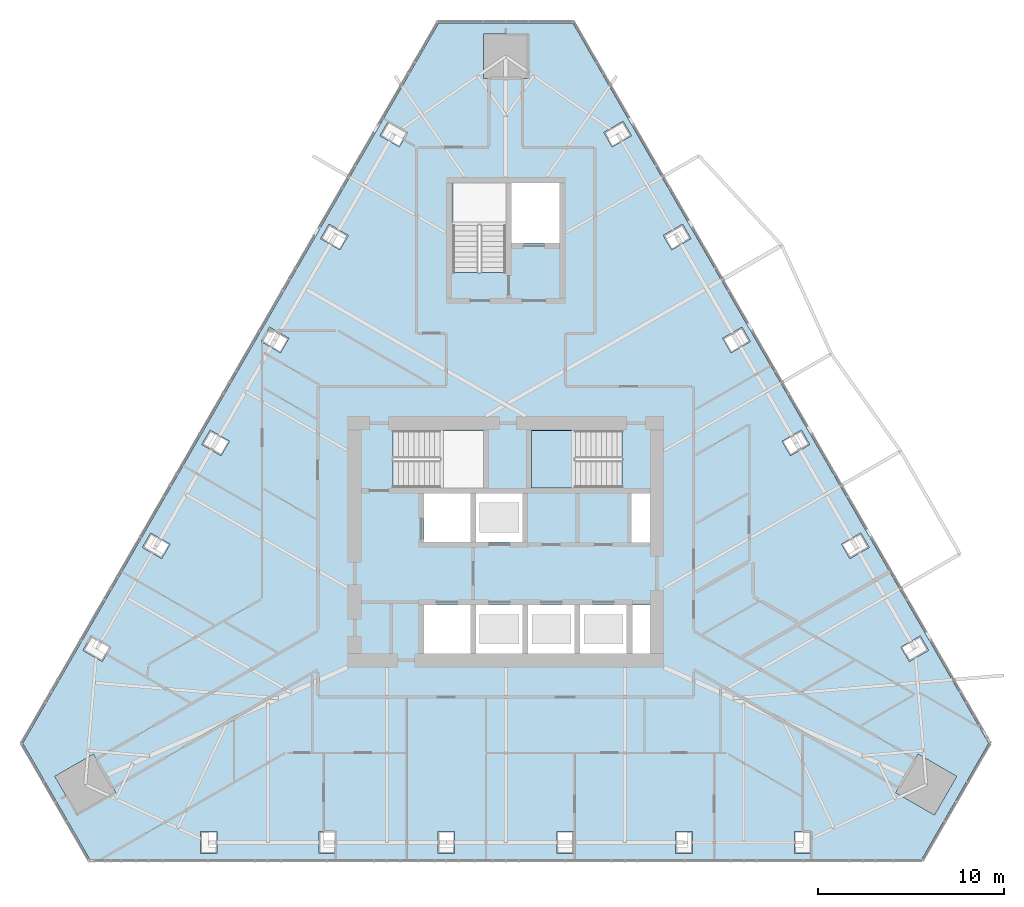
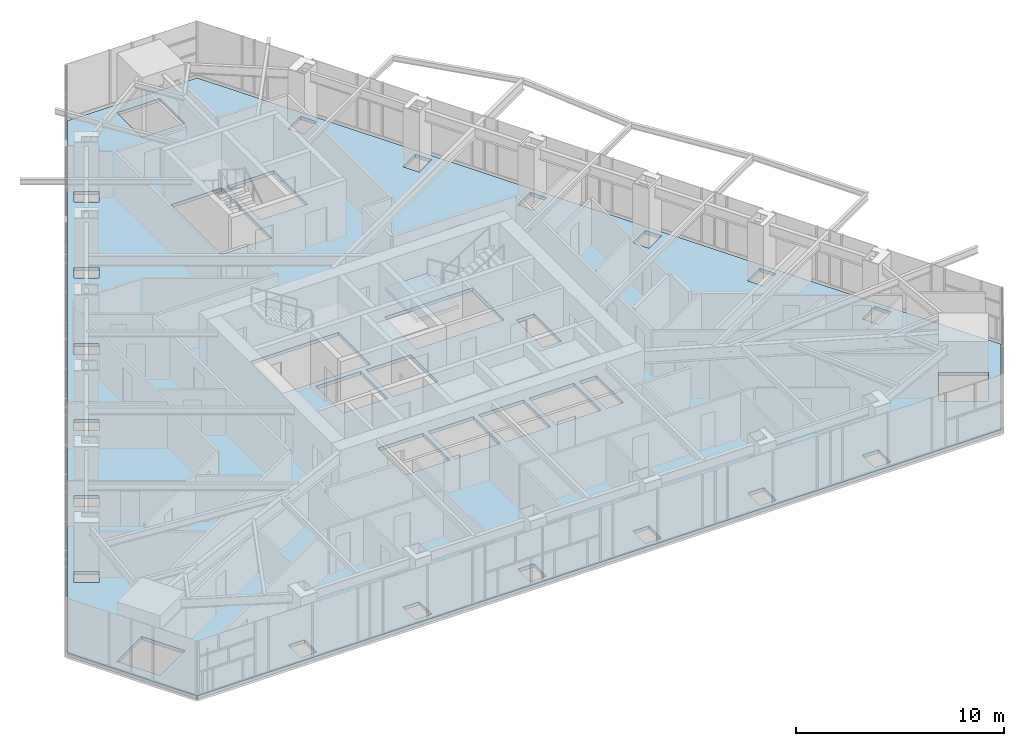
# One storey, part 18 of 26: 2 slabs, 1 element without a shape of its own.
"""IFC4 building model written with IfcOpenShell, lengths in metres."""

from ifc_helpers import new_model, si_unit, direction, frame, origin, place, context, subcontext, project, spatial, polyline, outline, extrude, material, layer, layer_set, type_object, element, aggregate, save


model = new_model("IFC4")

# Units and contexts
model_context = context("Model", 3, precision=1e-05, world=origin(), true_north=direction((0.0, 1.0)))
body_context = subcontext(model_context, "Body", "Model", "MODEL_VIEW")
ifc_project = project(units=[si_unit("LENGTHUNIT", "METRE"), si_unit("AREAUNIT", "SQUARE_METRE"), si_unit("VOLUMEUNIT", "CUBIC_METRE"), si_unit("PLANEANGLEUNIT", "RADIAN"), si_unit("MASSUNIT", "GRAM", prefix="KILO")], contexts=[model_context])

# Site, building, storey
site_placement = place(None, origin())
site = spatial("IfcSite", under=ifc_project, at=site_placement, CompositionType="ELEMENT")
building_placement = place(site_placement, origin())
building = spatial("IfcBuilding", under=site, at=building_placement, Name="Firuza Gate Tower and Library", CompositionType="ELEMENT")
storey_placement = place(building_placement, frame((0.0, 0.0, 288.10009765625)))
storey = spatial("IfcBuildingStorey", under=building, at=storey_placement, Name="L69", CompositionType="ELEMENT", Elevation=288.10009765625)

# Slab
ifc_material_1 = material(Name="Concrete C40/50", Category="concrete")
ifc_layer_1 = layer(ifc_material_1, 0.199951171875)
ifc_layer_set_1 = layer_set([ifc_layer_1], Name="Composite floor slab 200 C40/50")
slab_type_1 = type_object("IfcSlabType", Name="Composite floor slab 200 C40/50", PredefinedType="FLOOR", material=ifc_layer_set_1)
slab_1_placement = place(storey_placement, frame((0.0, 0.0, -0.2001953125)))
element("IfcSlab", 1, at=slab_1_placement, inside=storey, type_object=slab_type_1, Name="Floor slab L69", PredefinedType="FLOOR", context=body_context, shape_type="SweptSolid", body=[
    extrude(outline(polyline([(49.037353515625, 64.16748046875), (52.637451171875, 57.931884765625), (97.362548828125, 57.931884765625), (100.962646484375, 64.16748046875), (78.60009765625, 102.900634765625), (71.39990234375, 102.900634765625), (49.037353515625, 64.16748046875)]), holes=[polyline([(58.57666015625, 58.23193359375), (58.57666015625, 59.431884765625), (59.4765625, 59.431884765625), (59.4765625, 58.23193359375), (58.57666015625, 58.23193359375)]), polyline([(64.966064453125, 58.23193359375), (64.966064453125, 59.431884765625), (65.865966796875, 59.431884765625), (65.865966796875, 58.23193359375), (64.966064453125, 58.23193359375)]), polyline([(71.355224609375, 58.23193359375), (71.355224609375, 59.431884765625), (72.25537109375, 59.431884765625), (72.25537109375, 58.23193359375), (71.355224609375, 58.23193359375)]), polyline([(50.7568359375, 62.388916015625), (52.83544921875, 63.5888671875), (54.035400390625, 61.510498046875), (51.95703125, 60.310546875), (50.7568359375, 62.388916015625)]), polyline([(52.716796875, 69.9404296875), (53.756103515625, 69.34033203125), (53.30615234375, 68.56103515625), (52.266845703125, 69.160888671875), (52.716796875, 69.9404296875)]), polyline([(73.10009765625, 69.0), (70.60009765625, 69.0), (70.60009765625, 71.60009765625), (73.10009765625, 71.60009765625), (73.10009765625, 69.0)]), polyline([(75.89990234375, 69.0), (73.39990234375, 69.0), (73.39990234375, 71.60009765625), (75.89990234375, 71.60009765625), (75.89990234375, 69.0)]), polyline([(55.911376953125, 75.4736328125), (56.95068359375, 74.873779296875), (56.500732421875, 74.09423828125), (55.46142578125, 74.6943359375), (55.911376953125, 75.4736328125)]), polyline([(73.10009765625, 75.0), (70.60009765625, 75.0), (70.60009765625, 77.60009765625), (73.10009765625, 77.60009765625), (73.10009765625, 75.0)]), polyline([(75.89990234375, 75.0), (73.39990234375, 75.0), (73.39990234375, 77.60009765625), (75.89990234375, 77.60009765625), (75.89990234375, 75.0)]), polyline([(68.9404296875, 77.89990234375), (68.9404296875, 80.97998046875), (73.81005859375, 80.97998046875), (73.81005859375, 77.89990234375), (68.9404296875, 77.89990234375)]), polyline([(59.106201171875, 81.007080078125), (60.145263671875, 80.406982421875), (59.6953125, 79.627685546875), (58.65625, 80.2275390625), (59.106201171875, 81.007080078125)]), polyline([(62.30078125, 86.540283203125), (63.340087890625, 85.9404296875), (62.89013671875, 85.160888671875), (61.850830078125, 85.760986328125), (62.30078125, 86.540283203125)]), polyline([(65.495361328125, 92.07373046875), (66.53466796875, 91.4736328125), (66.084716796875, 90.6943359375), (65.04541015625, 91.294189453125), (65.495361328125, 92.07373046875)]), polyline([(72.159912109375, 89.470458984375), (72.159912109375, 94.300048828125), (75.0, 94.300048828125), (75.0, 89.470458984375), (72.159912109375, 89.470458984375)]), polyline([(68.690185546875, 97.60693359375), (69.7294921875, 97.007080078125), (69.279296875, 96.2275390625), (68.240234375, 96.82763671875), (68.690185546875, 97.60693359375)]), polyline([(76.199951171875, 102.300537109375), (76.199951171875, 99.900634765625), (73.800048828125, 99.900634765625), (73.800048828125, 102.300537109375), (76.199951171875, 102.300537109375)]), polyline([(77.74462890625, 58.23193359375), (77.74462890625, 59.431884765625), (78.644775390625, 59.431884765625), (78.644775390625, 58.23193359375), (77.74462890625, 58.23193359375)]), polyline([(84.134033203125, 58.23193359375), (84.134033203125, 59.431884765625), (85.033935546875, 59.431884765625), (85.033935546875, 58.23193359375), (84.134033203125, 58.23193359375)]), polyline([(90.5234375, 58.23193359375), (90.5234375, 59.431884765625), (91.42333984375, 59.431884765625), (91.42333984375, 58.23193359375), (90.5234375, 58.23193359375)]), polyline([(98.04296875, 60.310546875), (95.964599609375, 61.510498046875), (97.16455078125, 63.5888671875), (99.2431640625, 62.388916015625), (98.04296875, 60.310546875)]), polyline([(97.733154296875, 69.160888671875), (96.69384765625, 68.56103515625), (96.243896484375, 69.34033203125), (97.283203125, 69.9404296875), (97.733154296875, 69.160888671875)]), polyline([(78.699951171875, 69.0), (76.199951171875, 69.0), (76.199951171875, 71.60009765625), (78.699951171875, 71.60009765625), (78.699951171875, 69.0)]), polyline([(81.5, 69.0), (79.0, 69.0), (79.0, 71.60009765625), (81.5, 71.60009765625), (81.5, 69.0)]), polyline([(82.75, 69.0), (81.800048828125, 69.0), (81.800048828125, 71.60009765625), (82.75, 71.60009765625), (82.75, 69.0)]), polyline([(94.53857421875, 74.6943359375), (93.499267578125, 74.09423828125), (93.04931640625, 74.873779296875), (94.088623046875, 75.4736328125), (94.53857421875, 74.6943359375)]), polyline([(82.75, 74.949951171875), (81.75, 74.949951171875), (81.75, 77.60009765625), (82.75, 77.60009765625), (82.75, 74.949951171875)]), polyline([(81.259521484375, 80.97998046875), (81.259521484375, 77.89990234375), (76.389892578125, 77.89990234375), (76.389892578125, 80.97998046875), (81.259521484375, 80.97998046875)]), polyline([(91.34375, 80.2275390625), (90.3046875, 79.627685546875), (89.854736328125, 80.406982421875), (90.893798828125, 81.007080078125), (91.34375, 80.2275390625)]), polyline([(88.149169921875, 85.760986328125), (87.10986328125, 85.160888671875), (86.659912109375, 85.9404296875), (87.69921875, 86.540283203125), (88.149169921875, 85.760986328125)]), polyline([(84.95458984375, 91.294189453125), (83.915283203125, 90.6943359375), (83.46533203125, 91.4736328125), (84.504638671875, 92.07373046875), (84.95458984375, 91.294189453125)]), polyline([(75.300048828125, 91.050048828125), (75.300048828125, 94.300048828125), (77.89990234375, 94.300048828125), (77.89990234375, 91.050048828125), (75.300048828125, 91.050048828125)]), polyline([(80.720703125, 96.2275390625), (80.2705078125, 97.007080078125), (81.309814453125, 97.60693359375), (81.759765625, 96.82763671875), (80.720703125, 96.2275390625)])]), origin(), (0.0, 0.0, 1.0), 0.2001953125),
])

# Stair, slab
ifc_material_2 = material(Name="Concrete C35/45", Category="concrete")
stair_type = type_object("IfcStairType", Name="Exit stair ST8", PredefinedType="HALF_TURN_STAIR", material=ifc_material_2)
stair_placement = place(storey_placement, origin())
stair = element("IfcStair", 2, at=stair_placement, inside=storey, type_object=stair_type, Name="L69 Stair ST2", PredefinedType="HALF_TURN_STAIR")
ifc_material_3 = material(Name="Concrete C35/45", Category="concrete")
ifc_layer_2 = layer(ifc_material_3, 0.199951171875)
ifc_layer_set_2 = layer_set([ifc_layer_2], Name="Stair landing 200")
slab_type_2 = type_object("IfcSlabType", Name="Stair landing 200", PredefinedType="LANDING", material=ifc_layer_set_2)
slab_2_placement = place(storey_placement, frame((0.0, 0.0, 1.5498046875)))
slab_2 = element("IfcSlab", 3, at=slab_2_placement, type_object=slab_type_2, Name="ST2 landing 1", PredefinedType="LANDING", context=body_context, shape_type="SweptSolid", body=[
    extrude(outline(polyline([(78.739990234375, 80.97998046875), (76.389892578125, 80.97998046875), (76.389892578125, 77.89990234375), (78.739990234375, 77.89990234375), (78.739990234375, 80.97998046875)])), origin(), (0.0, 0.0, 1.0), 0.2001953125),
])
aggregate(stair, [slab_2])

save(model, "model.ifc")
